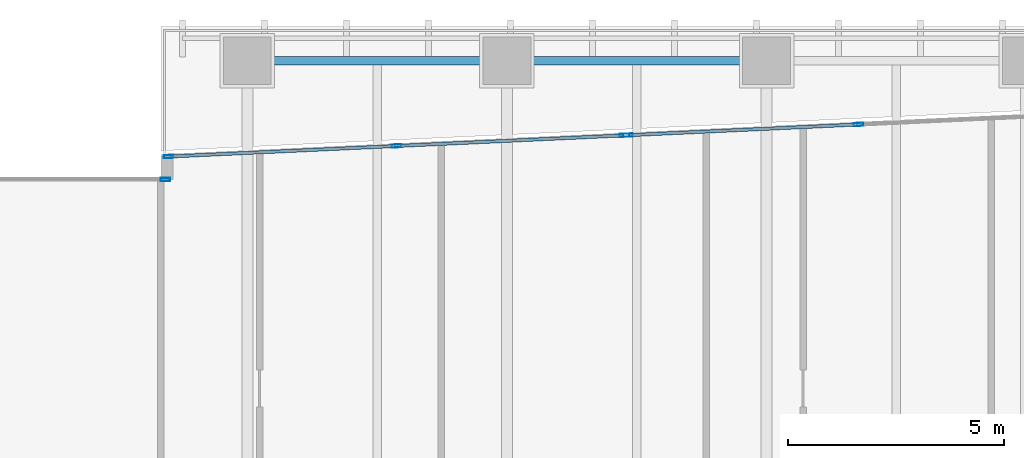
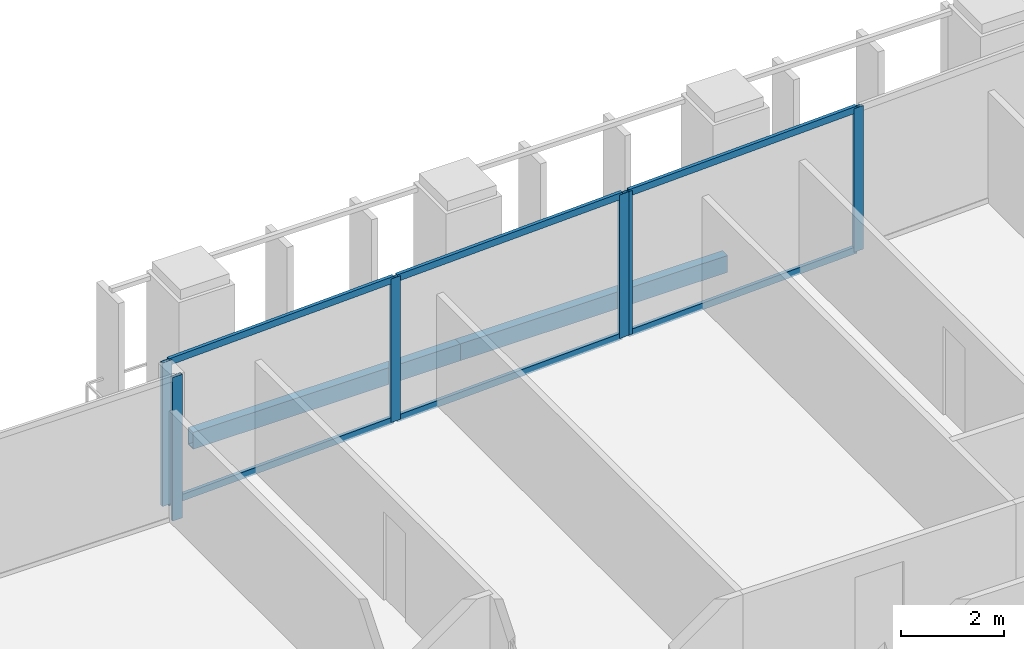
# One storey, part 12 of 31: 12 members, 2 beams, 3 elements without a shape of their own.
"""IFC4 building model written with IfcOpenShell, lengths in metres."""

from ifc_helpers import new_model, si_unit, direction, frame, origin, origin_2d, place, context, subcontext, project, spatial, hollow_rectangle, extrude, material, layer, layer_set, material_profile, profile_set, type_object, element, aggregate, save


model = new_model("IFC4")

# Units and contexts
model_context = context("Model", 3, precision=1e-05, world=origin(), true_north=direction((0.0, 1.0)))
body_context = subcontext(model_context, "Body", "Model", "MODEL_VIEW")
ifc_project = project(units=[si_unit("LENGTHUNIT", "METRE"), si_unit("AREAUNIT", "SQUARE_METRE"), si_unit("VOLUMEUNIT", "CUBIC_METRE"), si_unit("PLANEANGLEUNIT", "RADIAN"), si_unit("MASSUNIT", "GRAM", prefix="KILO")], contexts=[model_context])

# Site, building, storey
site_placement = place(None, origin())
site = spatial("IfcSite", under=ifc_project, at=site_placement, CompositionType="ELEMENT")
building_placement = place(site_placement, origin())
building = spatial("IfcBuilding", under=site, at=building_placement, Name="Tanjung Sevakor Pilgrim Tower", CompositionType="ELEMENT")
storey_placement = place(building_placement, frame((0.0, 0.0, 58.739990234375)))
storey = spatial("IfcBuildingStorey", under=building, at=storey_placement, Name="L16", CompositionType="ELEMENT", Elevation=58.739990234375)

# Beams
ifc_material_1 = material(Name="Steel S355J2", Category="steel")
ifc_material_profile_1 = material_profile(ifc_material_1, hollow_rectangle(XDim=0.199951171875, YDim=0.39990234375, WallThickness=0.01611328125, at=origin_2d()))
ifc_profile_set_1 = profile_set([ifc_material_profile_1], Name="Steel S355J2")
beam_type = type_object("IfcBeamType", Name="BM-B-SP2-RHS_400x200x16", PredefinedType="SPANDREL", material=ifc_profile_set_1)
for number, where, z_axis, x_axis, name in (
    (1, (54.0, 58.800048828125, -0.419921875), (1.0, 0.0, 0.0), (0.0, 1.0, 0.0), "L16 Spandrel MAIN N-08"),
    (2, (60.0, 58.800048828125, -0.419921875), (1.0, 0.0, 0.0), (0.0, 1.0, 0.0), "L16 Spandrel MAIN N-10"),
):
    element("IfcBeam", number, at=place(storey_placement, frame(where, z_axis=z_axis, x_axis=x_axis)), inside=storey, type_object=beam_type, Name=name, PredefinedType="SPANDREL", context=body_context, shape_type="SweptSolid", body=[
        extrude(hollow_rectangle(XDim=0.199951171875, YDim=0.39990234375, WallThickness=0.01611328125, at=origin_2d()), origin(), (0.0, 0.0, 1.0), 6.0),
    ])

# Curtain wall, members
ifc_material_2 = material(Name="Aluminium 6063-T6 and Low-E Glass", Category="aluminium")
ifc_layer_1 = layer(ifc_material_2, 0.199951171875)
ifc_layer_set_1 = layer_set([ifc_layer_1], Name="CW-SYS-PRAY")
curtain_wall_type_1 = type_object("IfcCurtainWallType", Name="CW-SYS-PRAY", PredefinedType="NOTDEFINED", material=ifc_layer_set_1)
curtain_wall_1_placement = place(storey_placement, origin())
curtain_wall_1 = element("IfcCurtainWall", 3, at=curtain_wall_1_placement, inside=storey, type_object=curtain_wall_type_1, Name="L16 Curtain Wall CW-PRY-L16-22", PredefinedType="NOTDEFINED")
ifc_material_3 = material(Name="Aluminium 6063-T6", Category="aluminium")
ifc_material_profile_2 = material_profile(ifc_material_3, hollow_rectangle(XDim=0.074951171875, YDim=0.219970703125, WallThickness=0.0048828125, at=origin_2d()))
ifc_profile_set_2 = profile_set([ifc_material_profile_2], Name="Aluminium 6063-T6")
member_type_1 = type_object("IfcMemberType", Name="TYPE-CWM-2", PredefinedType="MULLION", material=ifc_profile_set_2)
member_1_placement = place(storey_placement, frame((68.128173828125, 57.330078125, 0.0), z_axis=(0.0, 0.0, 1.0), x_axis=(0.046452337274, -0.998920507529, 0.0)))
member_1 = element("IfcMember", 4, at=member_1_placement, type_object=member_type_1, Name="CW-PRY mullion 2", PredefinedType="MULLION", context=body_context, shape_type="SweptSolid", body=[
    extrude(hollow_rectangle(XDim=0.074951171875, YDim=0.219970703125, WallThickness=0.0048828125, at=origin_2d()), origin(), (0.0, 0.0, 1.0), 3.409912109375),
])
member_2_placement = place(storey_placement, frame((62.7939453125, 57.08203125, 0.0), z_axis=(0.0, 0.0, 1.0), x_axis=(0.046452337274, -0.998920507529, 0.0)))
member_2 = element("IfcMember", 5, at=member_2_placement, type_object=member_type_1, Name="CW-PRY mullion 3", PredefinedType="MULLION", context=body_context, shape_type="SweptSolid", body=[
    extrude(hollow_rectangle(XDim=0.074951171875, YDim=0.219970703125, WallThickness=0.0048828125, at=origin_2d()), origin(), (0.0, 0.0, 1.0), 3.409912109375),
])

curtain_wall_2_placement = place(storey_placement, origin())
curtain_wall_2 = element("IfcCurtainWall", 6, at=curtain_wall_2_placement, inside=storey, type_object=curtain_wall_type_1, Name="L16 Curtain Wall CW-PRY-L16-23", PredefinedType="NOTDEFINED")
member_3_placement = place(storey_placement, frame((62.718994140625, 57.078369140625, 0.0), z_axis=(0.0, 0.0, 1.0), x_axis=(0.04646227273, -0.998920045455, 0.0)))
member_3 = element("IfcMember", 7, at=member_3_placement, type_object=member_type_1, Name="CW-PRY mullion 1", PredefinedType="MULLION", context=body_context, shape_type="SweptSolid", body=[
    extrude(hollow_rectangle(XDim=0.074951171875, YDim=0.219970703125, WallThickness=0.0048828125, at=origin_2d()), origin(), (0.0, 0.0, 1.0), 3.409912109375),
])
member_4_placement = place(storey_placement, frame((57.4482421875, 56.833251953125, 0.0), z_axis=(0.0, 0.0, 1.0), x_axis=(0.04646227273, -0.998920045455, 0.0)))
member_4 = element("IfcMember", 8, at=member_4_placement, type_object=member_type_1, Name="CW-PRY mullion 2", PredefinedType="MULLION", context=body_context, shape_type="SweptSolid", body=[
    extrude(hollow_rectangle(XDim=0.074951171875, YDim=0.219970703125, WallThickness=0.0048828125, at=origin_2d()), origin(), (0.0, 0.0, 1.0), 3.409912109375),
])
member_5_placement = place(storey_placement, frame((52.177490234375, 56.588134765625, 0.0), z_axis=(0.0, 0.0, 1.0), x_axis=(0.04646227273, -0.998920045455, 0.0)))
member_5 = element("IfcMember", 9, at=member_5_placement, type_object=member_type_1, Name="CW-PRY mullion 3", PredefinedType="MULLION", context=body_context, shape_type="SweptSolid", body=[
    extrude(hollow_rectangle(XDim=0.074951171875, YDim=0.219970703125, WallThickness=0.0048828125, at=origin_2d()), origin(), (0.0, 0.0, 1.0), 3.409912109375),
])

# Curtain wall, member
ifc_material_4 = material(Name="Aluminium 6063-T6 and Low-E Glass", Category="aluminium")
ifc_layer_2 = layer(ifc_material_4, 0.179931640625)
ifc_layer_set_2 = layer_set([ifc_layer_2], Name="CW-SYS-CLEFT")
curtain_wall_type_2 = type_object("IfcCurtainWallType", Name="CW-SYS-CLEFT", PredefinedType="NOTDEFINED", material=ifc_layer_set_2)
curtain_wall_3_placement = place(storey_placement, origin())
curtain_wall_3 = element("IfcCurtainWall", 10, at=curtain_wall_3_placement, inside=storey, type_object=curtain_wall_type_2, Name="L16 Curtain Wall CW-CLF-L16-25", PredefinedType="NOTDEFINED")
member_6_placement = place(storey_placement, frame((52.1025390625, 56.06005859375, 0.0), z_axis=(0.0, 0.0, 1.0), x_axis=(0.0, -1.0, 0.0)))
member_6 = element("IfcMember", 11, at=member_6_placement, type_object=member_type_1, Name="CW-CLF mullion 1", PredefinedType="MULLION", context=body_context, shape_type="SweptSolid", body=[
    extrude(hollow_rectangle(XDim=0.074951171875, YDim=0.219970703125, WallThickness=0.0048828125, at=origin_2d()), origin(), (0.0, 0.0, 1.0), 3.409912109375),
])
aggregate(curtain_wall_3, [member_6])

# Member
ifc_material_5 = material(Name="Aluminium 6063-T6", Category="aluminium")
ifc_material_profile_3 = material_profile(ifc_material_5, hollow_rectangle(XDim=0.074951171875, YDim=0.159912109375, WallThickness=0.00439453125, at=origin_2d()))
ifc_profile_set_3 = profile_set([ifc_material_profile_3], Name="Aluminium 6063-T6")
member_type_2 = type_object("IfcMemberType", Name="TYPE-CWT-2", PredefinedType="USERDEFINED", material=ifc_profile_set_3)
member_7_placement = place(storey_placement, frame((68.0908203125, 57.328369140625, 0.03759765625), z_axis=(-0.998920086078, -0.046461399352, 0.0), x_axis=(0.046461399352, -0.998920086078, 0.0)))
member_7 = element("IfcMember", 12, at=member_7_placement, type_object=member_type_2, Name="CW-PRY transom 2.1", ObjectType="TRANSOM", PredefinedType="USERDEFINED", context=body_context, shape_type="SweptSolid", body=[
    extrude(hollow_rectangle(XDim=0.074951171875, YDim=0.159912109375, WallThickness=0.00439453125, at=origin_2d()), origin(), (0.0, 0.0, 1.0), 5.26513671875),
])

member_8_placement = place(storey_placement, frame((68.0908203125, 57.328369140625, 3.37255859375), z_axis=(-0.998920086078, -0.046461399352, 0.0), x_axis=(0.046461399352, -0.998920086078, 0.0)))
member_8 = element("IfcMember", 13, at=member_8_placement, type_object=member_type_2, Name="CW-PRY transom 2.2", ObjectType="TRANSOM", PredefinedType="USERDEFINED", context=body_context, shape_type="SweptSolid", body=[
    extrude(hollow_rectangle(XDim=0.074951171875, YDim=0.159912109375, WallThickness=0.00439453125, at=origin_2d()), origin(), (0.0, 0.0, 1.0), 5.26513671875),
])

aggregate(curtain_wall_1, [member_1, member_2, member_7, member_8])

member_9_placement = place(storey_placement, frame((62.681640625, 57.07666015625, 0.03759765625), z_axis=(-0.998919883435, -0.046465755984, 0.0), x_axis=(0.046465755984, -0.998919883435, 0.0)))
member_9 = element("IfcMember", 14, at=member_9_placement, type_object=member_type_2, Name="CW-PRY transom 1.1", ObjectType="TRANSOM", PredefinedType="USERDEFINED", context=body_context, shape_type="SweptSolid", body=[
    extrude(hollow_rectangle(XDim=0.074951171875, YDim=0.159912109375, WallThickness=0.00439453125, at=origin_2d()), origin(), (0.0, 0.0, 1.0), 5.20166015625),
])

member_10_placement = place(storey_placement, frame((62.681640625, 57.07666015625, 3.37255859375), z_axis=(-0.998919883435, -0.046465755984, 0.0), x_axis=(0.046465755984, -0.998919883435, 0.0)))
member_10 = element("IfcMember", 15, at=member_10_placement, type_object=member_type_2, Name="CW-PRY transom 1.2", ObjectType="TRANSOM", PredefinedType="USERDEFINED", context=body_context, shape_type="SweptSolid", body=[
    extrude(hollow_rectangle(XDim=0.074951171875, YDim=0.159912109375, WallThickness=0.00439453125, at=origin_2d()), origin(), (0.0, 0.0, 1.0), 5.20166015625),
])

member_11_placement = place(storey_placement, frame((57.410888671875, 56.83154296875, 0.03759765625), z_axis=(-0.998919883435, -0.046465755984, 0.0), x_axis=(0.046465755984, -0.998919883435, 0.0)))
member_11 = element("IfcMember", 16, at=member_11_placement, type_object=member_type_2, Name="CW-PRY transom 2.1", ObjectType="TRANSOM", PredefinedType="USERDEFINED", context=body_context, shape_type="SweptSolid", body=[
    extrude(hollow_rectangle(XDim=0.074951171875, YDim=0.159912109375, WallThickness=0.00439453125, at=origin_2d()), origin(), (0.0, 0.0, 1.0), 5.20166015625),
])

member_12_placement = place(storey_placement, frame((57.410888671875, 56.83154296875, 3.37255859375), z_axis=(-0.998919883435, -0.046465755984, 0.0), x_axis=(0.046465755984, -0.998919883435, 0.0)))
member_12 = element("IfcMember", 17, at=member_12_placement, type_object=member_type_2, Name="CW-PRY transom 2.2", ObjectType="TRANSOM", PredefinedType="USERDEFINED", context=body_context, shape_type="SweptSolid", body=[
    extrude(hollow_rectangle(XDim=0.074951171875, YDim=0.159912109375, WallThickness=0.00439453125, at=origin_2d()), origin(), (0.0, 0.0, 1.0), 5.20166015625),
])

aggregate(curtain_wall_2, [member_3, member_4, member_5, member_9, member_10, member_11, member_12])

save(model, "model.ifc")
